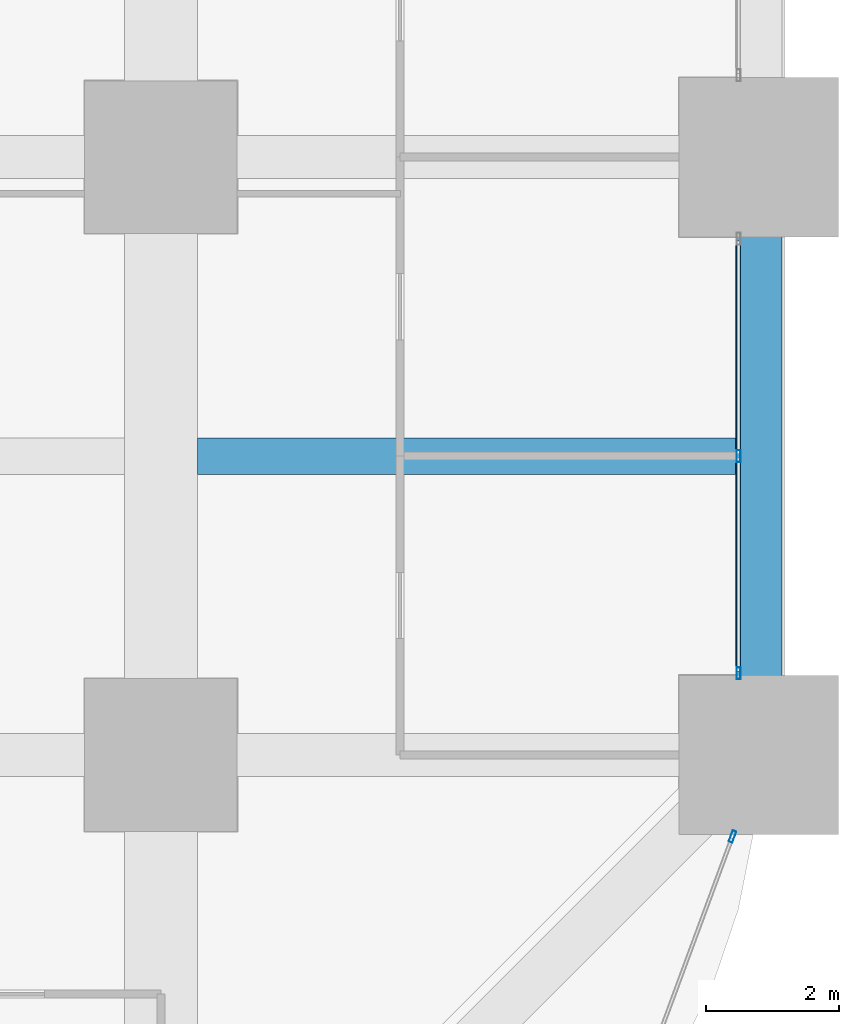
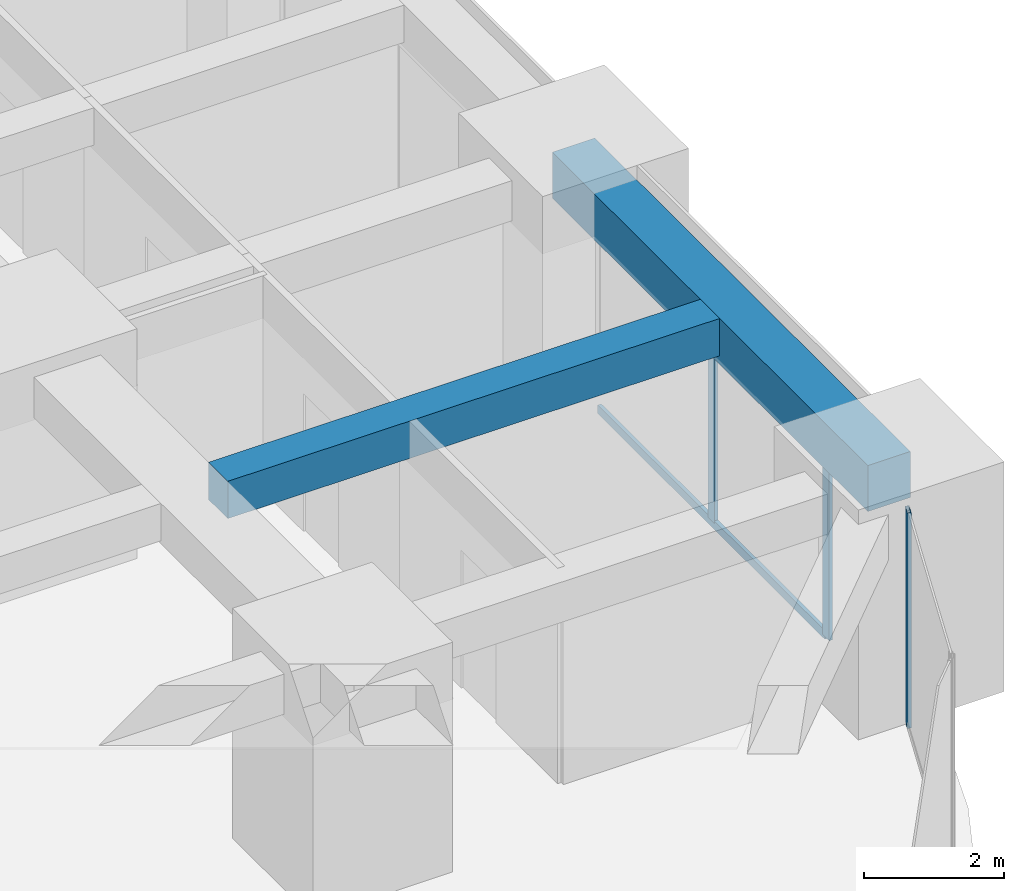
# One storey, part 18 of 45: 4 members, 2 beams, 2 elements without a shape of their own.
"""IFC4 building model written with IfcOpenShell, lengths in metres."""

from ifc_helpers import new_model, si_unit, direction, frame, origin, origin_2d, place, context, subcontext, project, spatial, rectangle, hollow_rectangle, extrude, material, material_profile, profile_set, type_object, element, aggregate, save


model = new_model("IFC4")

# Units and contexts
model_context = context("Model", 3, precision=1e-05, world=origin(), true_north=direction((0.0, 1.0)))
body_context = subcontext(model_context, "Body", "Model", "MODEL_VIEW")
ifc_project = project(units=[si_unit("LENGTHUNIT", "METRE"), si_unit("AREAUNIT", "SQUARE_METRE"), si_unit("VOLUMEUNIT", "CUBIC_METRE"), si_unit("PLANEANGLEUNIT", "RADIAN"), si_unit("MASSUNIT", "GRAM", prefix="KILO")], contexts=[model_context])

# Site, building, storey
site_placement = place(None, origin())
site = spatial("IfcSite", under=ifc_project, at=site_placement, CompositionType="ELEMENT")
building_placement = place(site_placement, origin())
building = spatial("IfcBuilding", under=site, at=building_placement, Name="Zorevar Civic Tower", CompositionType="ELEMENT")
storey_placement = place(building_placement, frame((0.0, 0.0, 23.800048828125)))
storey = spatial("IfcBuildingStorey", under=building, at=storey_placement, Name="L05", CompositionType="ELEMENT", Elevation=23.800048828125)

# Beam
ifc_material_1 = material(Name="Concrete C50/60", Category="concrete")
ifc_material_profile_1 = material_profile(ifc_material_1, rectangle(XDim=0.550048828125, YDim=0.64990234375, at=origin_2d()), Name="RC 550x650")
ifc_profile_set_1 = profile_set([ifc_material_profile_1], Name="Concrete C50/60")
beam_type_1 = type_object("IfcBeamType", Name="Beam RC 550x650", PredefinedType="BEAM", material=ifc_profile_set_1)
beam_1_placement = place(storey_placement, frame((54.550048828125, 13.5, 3.425048828125), z_axis=(1.0, 0.0, 0.0), x_axis=(0.0, 1.0, 0.0)))
element("IfcBeam", 1, at=beam_1_placement, inside=storey, type_object=beam_type_1, Name="Secondary beam L06", PredefinedType="BEAM", context=body_context, shape_type="SweptSolid", body=[
    extrude(rectangle(XDim=0.550048828125, YDim=0.64990234375, at=origin_2d()), origin(), (0.0, 0.0, 1.0), 8.099853515625),
])

# Curtain wall, members
ifc_material_2 = material(Name="Dark grey solar-control glass in black aluminium frame", Category="aluminium")
curtain_wall_type = type_object("IfcCurtainWallType", Name="Curtain wall CW2 low zone", PredefinedType="NOTDEFINED", material=ifc_material_2)
curtain_wall_1_placement = place(storey_placement, origin())
curtain_wall_1 = element("IfcCurtainWall", 2, at=curtain_wall_1_placement, inside=storey, type_object=curtain_wall_type, Name="CW2 L05", PredefinedType="NOTDEFINED")
ifc_material_3 = material(Name="Aluminium, black anodised", Category="aluminium")
ifc_material_profile_2 = material_profile(ifc_material_3, hollow_rectangle(XDim=0.06005859375, YDim=0.179931640625, WallThickness=0.00390625, at=origin_2d()), Name="AL 180x60x4")
ifc_profile_set_2 = profile_set([ifc_material_profile_2], Name="Aluminium, black anodised")
member_type_1 = type_object("IfcMemberType", Name="CW2 mullion AL 180x60x4", PredefinedType="MULLION", material=ifc_profile_set_2)
member_1_placement = place(storey_placement, frame((62.699951171875, 10.22998046875, 0.0), z_axis=(0.0, 0.0, 1.0), x_axis=(-1.0, 0.0, 0.0)))
member_1 = element("IfcMember", 3, at=member_1_placement, type_object=member_type_1, Name="CW2 mullion 1", PredefinedType="MULLION", context=body_context, shape_type="SweptSolid", body=[
    extrude(hollow_rectangle(XDim=0.06005859375, YDim=0.179931640625, WallThickness=0.00390625, at=origin_2d()), origin(), (0.0, 0.0, 1.0), 2.949951171875),
])
member_2_placement = place(storey_placement, frame((62.699951171875, 13.5, 0.06005859375), z_axis=(0.0, 0.0, 1.0), x_axis=(-1.0, 0.0, 0.0)))
member_2 = element("IfcMember", 4, at=member_2_placement, type_object=member_type_1, Name="CW2 mullion 2", PredefinedType="MULLION", context=body_context, shape_type="SweptSolid", body=[
    extrude(hollow_rectangle(XDim=0.06005859375, YDim=0.179931640625, WallThickness=0.00390625, at=origin_2d()), origin(), (0.0, 0.0, 1.0), 2.889892578125),
])

# Curtain wall, member
curtain_wall_2_placement = place(storey_placement, origin())
curtain_wall_2 = element("IfcCurtainWall", 5, at=curtain_wall_2_placement, inside=storey, type_object=curtain_wall_type, Name="CW2 L05", PredefinedType="NOTDEFINED")
member_3_placement = place(storey_placement, frame((62.6064453125, 7.77197265625, 0.0), z_axis=(0.0, 0.0, 1.0), x_axis=(-0.937974588163, 0.346704012033, 0.0)))
member_3 = element("IfcMember", 6, at=member_3_placement, type_object=member_type_1, Name="CW2 mullion 2", PredefinedType="MULLION", context=body_context, shape_type="SweptSolid", body=[
    extrude(hollow_rectangle(XDim=0.06005859375, YDim=0.179931640625, WallThickness=0.00390625, at=origin_2d()), origin(), (0.0, 0.0, 1.0), 3.75),
])
aggregate(curtain_wall_2, [member_3])

# Member
ifc_material_4 = material(Name="Aluminium, black anodised", Category="aluminium")
ifc_material_profile_3 = material_profile(ifc_material_4, hollow_rectangle(XDim=0.06005859375, YDim=0.14990234375, WallThickness=0.00390625, at=origin_2d()), Name="AL 150x60x4")
ifc_profile_set_3 = profile_set([ifc_material_profile_3], Name="Aluminium, black anodised")
member_type_2 = type_object("IfcMemberType", Name="CW2 transom AL 150x60x4", PredefinedType="USERDEFINED", material=ifc_profile_set_3)
member_4_placement = place(storey_placement, frame((62.699951171875, 10.260009765625, 0.030029296875), z_axis=(0.0, 1.0, 0.0), x_axis=(-1.0, 0.0, 0.0)))
member_4 = element("IfcMember", 7, at=member_4_placement, type_object=member_type_2, Name="CW2 sill transom", ObjectType="TRANSOM", PredefinedType="USERDEFINED", context=body_context, shape_type="SweptSolid", body=[
    extrude(hollow_rectangle(XDim=0.06005859375, YDim=0.14990234375, WallThickness=0.00390625, at=origin_2d()), origin(), (0.0, 0.0, 1.0), 6.47998046875),
])

aggregate(curtain_wall_1, [member_1, member_2, member_4])

# Beam
ifc_material_5 = material(Name="Concrete C50/60", Category="concrete")
ifc_material_profile_4 = material_profile(ifc_material_5, rectangle(XDim=0.699951171875, YDim=0.800048828125, at=origin_2d()), Name="RC 700x800")
ifc_profile_set_4 = profile_set([ifc_material_profile_4], Name="Concrete C50/60")
beam_type_2 = type_object("IfcBeamType", Name="Edge beam RC 700x800", PredefinedType="SPANDREL", material=ifc_profile_set_4)
beam_2_placement = place(storey_placement, frame((63.0, 9.0, 3.349853515625), z_axis=(0.0, 1.0, 0.0), x_axis=(-1.0, 0.0, 0.0)))
element("IfcBeam", 8, at=beam_2_placement, inside=storey, type_object=beam_type_2, Name="Edge beam L06", PredefinedType="SPANDREL", context=body_context, shape_type="SweptSolid", body=[
    extrude(rectangle(XDim=0.699951171875, YDim=0.800048828125, at=origin_2d()), origin(), (0.0, 0.0, 1.0), 9.0),
])

save(model, "model.ifc")
